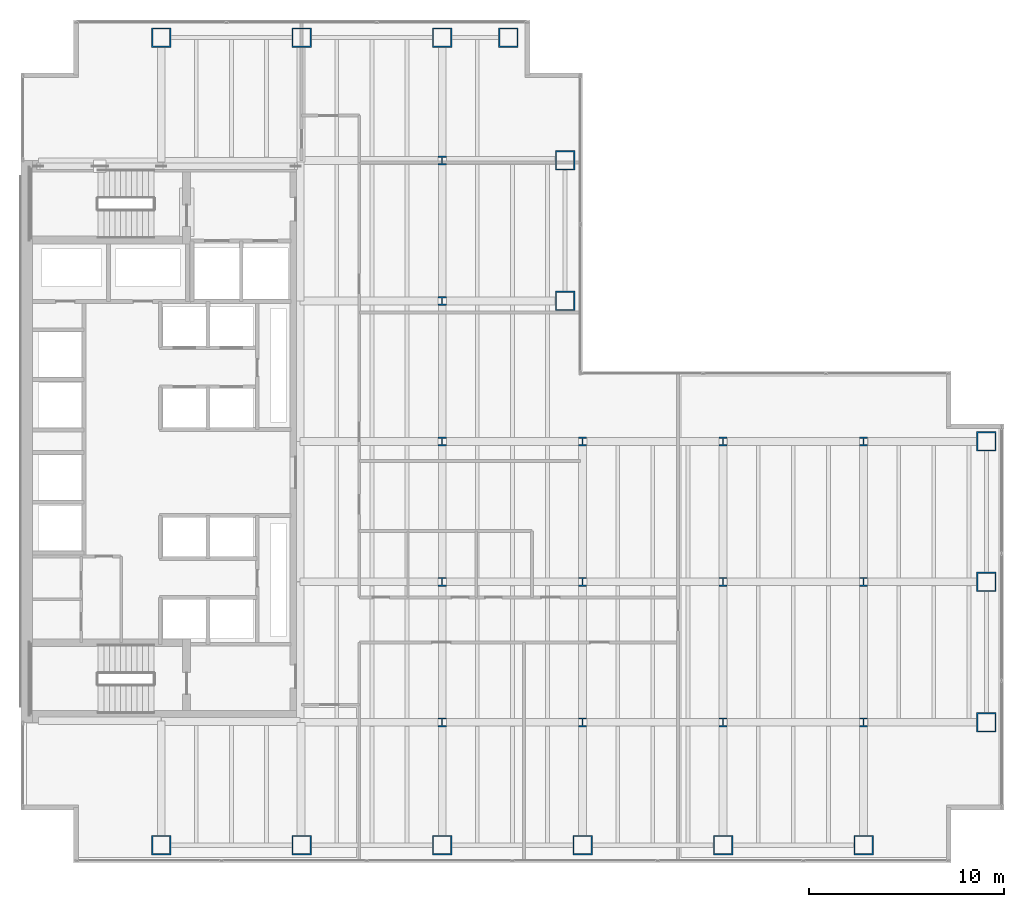
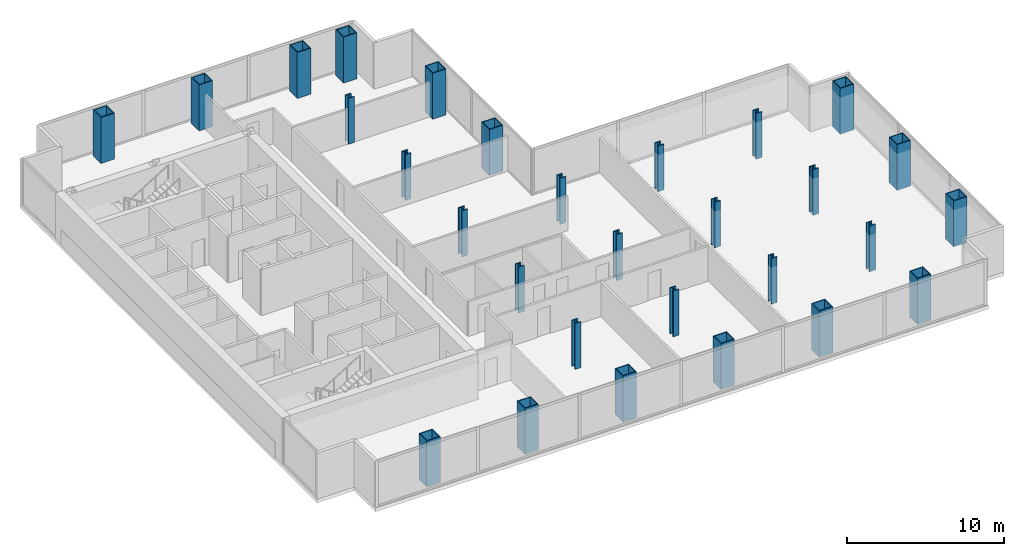
# One storey, part 1 of 25: 29 columns.
"""IFC4 building model written with IfcOpenShell, lengths in metres."""

from ifc_helpers import new_model, si_unit, direction, frame, origin, origin_2d, place, context, subcontext, project, spatial, hollow_rectangle, i_section, extrude, material, material_profile, profile_set, type_object, element, save


model = new_model("IFC4")

# Units and contexts
model_context = context("Model", 3, precision=1e-05, world=origin(), true_north=direction((0.0, 1.0)))
body_context = subcontext(model_context, "Body", "Model", "MODEL_VIEW")
ifc_project = project(units=[si_unit("LENGTHUNIT", "METRE"), si_unit("AREAUNIT", "SQUARE_METRE"), si_unit("VOLUMEUNIT", "CUBIC_METRE"), si_unit("PLANEANGLEUNIT", "RADIAN"), si_unit("MASSUNIT", "GRAM", prefix="KILO")], contexts=[model_context])

# Site, building, storey
site_placement = place(None, origin())
site = spatial("IfcSite", under=ifc_project, at=site_placement, CompositionType="ELEMENT")
building_placement = place(site_placement, origin())
building = spatial("IfcBuilding", under=site, at=building_placement, Name="Cobrela Telecom Tower", CompositionType="ELEMENT")
storey_placement = place(building_placement, frame((0.0, 0.0, 61.949951171875)))
storey = spatial("IfcBuildingStorey", under=building, at=storey_placement, Name="L15", CompositionType="ELEMENT", Elevation=61.949951171875)

# Columns
ifc_material_1 = material(Name="Steel ASTM A992 Grade 50", Category="steel")
ifc_material_profile_1 = material_profile(ifc_material_1, i_section(OverallWidth=0.422119140625, OverallDepth=0.465087890625, WebThickness=0.044921875, FlangeThickness=0.072509765625, FilletRadius=0.01806640625, at=origin_2d()), Name="W14X398")
ifc_profile_set_1 = profile_set([ifc_material_profile_1], Name="Steel ASTM A992 Grade 50")
column_type_1 = type_object("IfcColumnType", Name="COL-INT-04", PredefinedType="COLUMN", material=ifc_profile_set_1)
for number, where, z_axis, x_axis, name in (
    (1, (21.60009765625, 7.199951171875, 0.0), (0.0, 0.0, 1.0), (1.0, 0.0, 0.0), "L15 Interior Column 06"),
    (2, (21.60009765625, 14.39990234375, 0.0), (0.0, 0.0, 1.0), (1.0, 0.0, 0.0), "L15 Interior Column 07"),
    (3, (21.60009765625, 21.60009765625, 0.0), (0.0, 0.0, 1.0), (1.0, 0.0, 0.0), "L15 Interior Column 08"),
    (4, (21.60009765625, 28.800048828125, 0.0), (0.0, 0.0, 1.0), (1.0, 0.0, 0.0), "L15 Interior Column 09"),
    (5, (21.60009765625, 36.0, 0.0), (0.0, 0.0, 1.0), (1.0, 0.0, 0.0), "L15 Interior Column 10"),
    (6, (28.800048828125, 7.199951171875, 0.0), (0.0, 0.0, 1.0), (1.0, 0.0, 0.0), "L15 Interior Column 16"),
    (7, (28.800048828125, 14.39990234375, 0.0), (0.0, 0.0, 1.0), (1.0, 0.0, 0.0), "L15 Interior Column 17"),
    (8, (28.800048828125, 21.60009765625, 0.0), (0.0, 0.0, 1.0), (1.0, 0.0, 0.0), "L15 Interior Column 18"),
    (9, (36.0, 7.199951171875, 0.0), (0.0, 0.0, 1.0), (1.0, 0.0, 0.0), "L15 Interior Column 20"),
    (10, (36.0, 14.39990234375, 0.0), (0.0, 0.0, 1.0), (1.0, 0.0, 0.0), "L15 Interior Column 21"),
    (11, (36.0, 21.60009765625, 0.0), (0.0, 0.0, 1.0), (1.0, 0.0, 0.0), "L15 Interior Column 22"),
    (12, (43.199951171875, 7.199951171875, 0.0), (0.0, 0.0, 1.0), (1.0, 0.0, 0.0), "L15 Interior Column 24"),
    (13, (43.199951171875, 14.39990234375, 0.0), (0.0, 0.0, 1.0), (1.0, 0.0, 0.0), "L15 Interior Column 25"),
    (14, (43.199951171875, 21.60009765625, 0.0), (0.0, 0.0, 1.0), (1.0, 0.0, 0.0), "L15 Interior Column 26"),
):
    element("IfcColumn", number, at=place(storey_placement, frame(where, z_axis=z_axis, x_axis=x_axis)), inside=storey, type_object=column_type_1, Name=name, PredefinedType="COLUMN", context=body_context, shape_type="SweptSolid", body=[
        extrude(i_section(OverallWidth=0.422119140625, OverallDepth=0.465087890625, WebThickness=0.044921875, FlangeThickness=0.072509765625, FilletRadius=0.01806640625, at=origin_2d()), origin(), (0.0, 0.0, 1.0), 3.570068359375),
    ])
ifc_material_2 = material(Name="Steel ASTM A572 Grade 50", Category="steel")
ifc_material_profile_2 = material_profile(ifc_material_2, hollow_rectangle(XDim=1.0, YDim=1.0, WallThickness=0.06494140625, at=origin_2d()), Name="BOX 1000x1000x65")
ifc_profile_set_2 = profile_set([ifc_material_profile_2], Name="Steel ASTM A572 Grade 50")
column_type_2 = type_object("IfcColumnType", Name="COL-MEGA-03", PredefinedType="COLUMN", material=ifc_profile_set_2)
for number, where, z_axis, x_axis, name in (
    (15, (7.199951171875, 0.89990234375, 0.0), (0.0, 0.0, 1.0), (1.0, 0.0, 0.0), "L15 Perimeter Mega-Column 01"),
    (16, (7.199951171875, 42.300048828125, 0.0), (0.0, 0.0, 1.0), (1.0, 0.0, 0.0), "L15 Perimeter Mega-Column 02"),
    (17, (14.39990234375, 0.89990234375, 0.0), (0.0, 0.0, 1.0), (1.0, 0.0, 0.0), "L15 Perimeter Mega-Column 03"),
    (18, (14.39990234375, 42.300048828125, 0.0), (0.0, 0.0, 1.0), (1.0, 0.0, 0.0), "L15 Perimeter Mega-Column 04"),
    (19, (21.60009765625, 0.89990234375, 0.0), (0.0, 0.0, 1.0), (1.0, 0.0, 0.0), "L15 Perimeter Mega-Column 05"),
    (20, (21.60009765625, 42.300048828125, 0.0), (0.0, 0.0, 1.0), (1.0, 0.0, 0.0), "L15 Perimeter Mega-Column 11"),
    (21, (25.0, 42.300048828125, 0.0), (0.0, 0.0, 1.0), (1.0, 0.0, 0.0), "L15 Perimeter Mega-Column 12"),
    (22, (27.89990234375, 28.800048828125, 0.0), (0.0, 0.0, 1.0), (1.0, 0.0, 0.0), "L15 Perimeter Mega-Column 13"),
    (23, (27.89990234375, 36.0, 0.0), (0.0, 0.0, 1.0), (1.0, 0.0, 0.0), "L15 Perimeter Mega-Column 14"),
    (24, (28.800048828125, 0.89990234375, 0.0), (0.0, 0.0, 1.0), (1.0, 0.0, 0.0), "L15 Perimeter Mega-Column 15"),
    (25, (36.0, 0.89990234375, 0.0), (0.0, 0.0, 1.0), (1.0, 0.0, 0.0), "L15 Perimeter Mega-Column 19"),
    (26, (43.199951171875, 0.89990234375, 0.0), (0.0, 0.0, 1.0), (1.0, 0.0, 0.0), "L15 Perimeter Mega-Column 23"),
    (27, (49.5, 7.199951171875, 0.0), (0.0, 0.0, 1.0), (1.0, 0.0, 0.0), "L15 Perimeter Mega-Column 27"),
    (28, (49.5, 14.39990234375, 0.0), (0.0, 0.0, 1.0), (1.0, 0.0, 0.0), "L15 Perimeter Mega-Column 28"),
    (29, (49.5, 21.60009765625, 0.0), (0.0, 0.0, 1.0), (1.0, 0.0, 0.0), "L15 Perimeter Mega-Column 29"),
):
    element("IfcColumn", number, at=place(storey_placement, frame(where, z_axis=z_axis, x_axis=x_axis)), inside=storey, type_object=column_type_2, Name=name, PredefinedType="COLUMN", context=body_context, shape_type="SweptSolid", body=[
        extrude(hollow_rectangle(XDim=1.0, YDim=1.0, WallThickness=0.06494140625, at=origin_2d()), origin(), (0.0, 0.0, 1.0), 3.570068359375),
    ])

save(model, "model.ifc")
